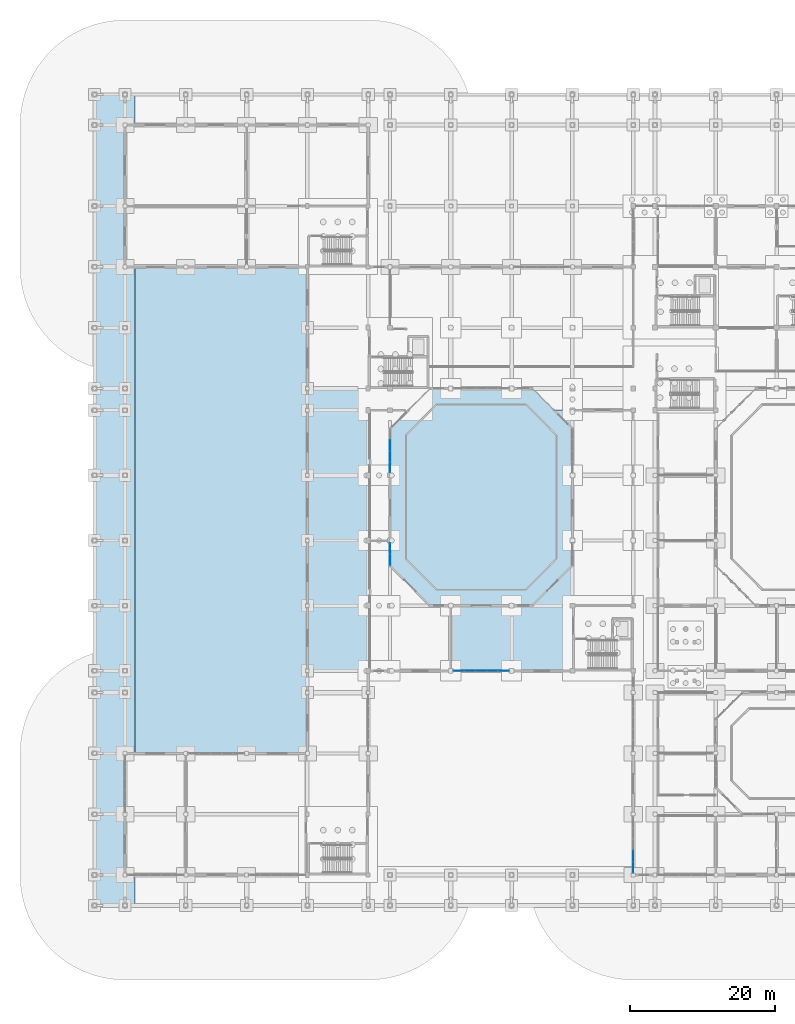
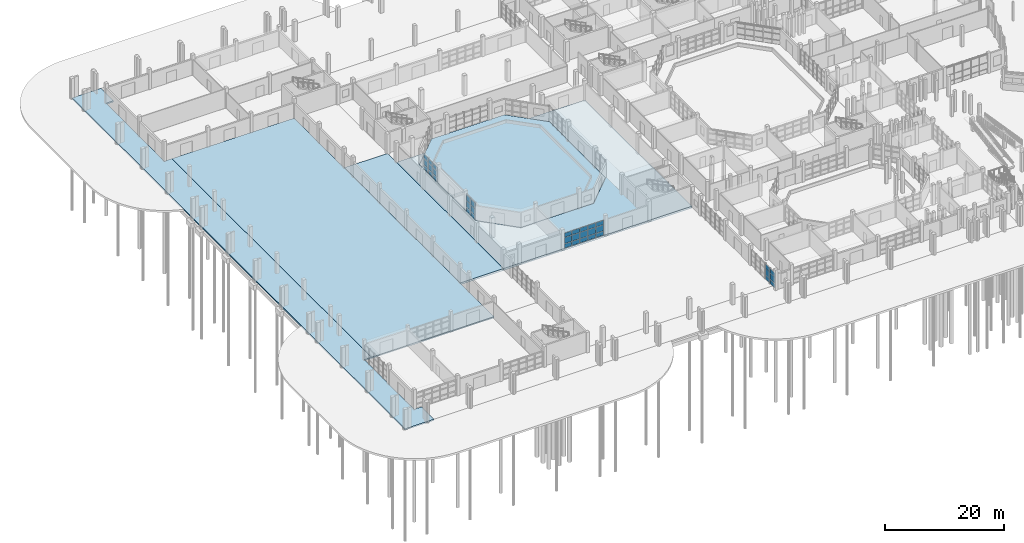
# One storey, part 43 of 88: 36 plates, 5 slabs, 4 elements without a shape of their own.
"""IFC4 building model written with IfcOpenShell, lengths in metres."""

from ifc_helpers import new_model, si_unit, direction, frame, origin, origin_2d, place, context, subcontext, project, spatial, polyline, rectangle, outline, extrude, material, layer, layer_set, type_object, element, aggregate, save


model = new_model("IFC4")

# Units and contexts
model_context = context("Model", 3, precision=1e-05, world=origin(), true_north=direction((0.0, 1.0)))
body_context = subcontext(model_context, "Body", "Model", "MODEL_VIEW")
ifc_project = project(units=[si_unit("LENGTHUNIT", "METRE"), si_unit("AREAUNIT", "SQUARE_METRE"), si_unit("VOLUMEUNIT", "CUBIC_METRE"), si_unit("PLANEANGLEUNIT", "RADIAN"), si_unit("MASSUNIT", "GRAM", prefix="KILO")], contexts=[model_context])

# Site, building, storey
site_placement = place(None, origin())
site = spatial("IfcSite", under=ifc_project, at=site_placement, CompositionType="ELEMENT")
building_placement = place(site_placement, origin())
building = spatial("IfcBuilding", under=site, at=building_placement, Name="Vanh Quang Courtyard School", CompositionType="ELEMENT")
storey_placement = place(building_placement, origin())
storey = spatial("IfcBuildingStorey", under=building, at=storey_placement, Name="L00", CompositionType="ELEMENT", Elevation=0.0)

# Curtain wall, plates
ifc_material_1 = material(Name="Thermally broken aluminium unitised curtain wall", Category="aluminium")
curtain_wall_type_1 = type_object("IfcCurtainWallType", Name="CW-SYS-16", PredefinedType="NOTDEFINED", material=ifc_material_1)
curtain_wall_1_placement = place(storey_placement, origin())
curtain_wall_1 = element("IfcCurtainWall", 1, at=curtain_wall_1_placement, inside=storey, type_object=curtain_wall_type_1, Name="Curtain Wall CW-16 (L00)", PredefinedType="NOTDEFINED")
ifc_material_2 = material(Name="Low-E laminated double glazing", Category="glass")
ifc_layer_1 = layer(ifc_material_2, 0.028076171875)
ifc_layer_set_1 = layer_set([ifc_layer_1], Name="Low-E laminated double glazing")
plate_type_1 = type_object("IfcPlateType", Name="CW-PNL-28", PredefinedType="CURTAIN_PANEL", material=ifc_layer_set_1)
plate_1_placement = place(storey_placement, frame((40.800048828125, 49.271240234375, 0.06005859375), z_axis=(0.0, 0.0, 1.0), x_axis=(0.0, -1.0, 0.0)))
plate_1 = element("IfcPlate", 2, at=plate_1_placement, type_object=plate_type_1, Name="CW-16 panel 1.1", PredefinedType="CURTAIN_PANEL", context=body_context, shape_type="SweptSolid", body=[
    extrude(rectangle(XDim=1.471435546875, YDim=0.028076171875, at=origin_2d()), origin(), (0.0, 0.0, 1.0), 0.860107421875),
])
plate_2_placement = place(storey_placement, frame((40.800048828125, 49.271240234375, 0.97998046875), z_axis=(0.0, 0.0, 1.0), x_axis=(0.0, -1.0, 0.0)))
plate_2 = element("IfcPlate", 3, at=plate_2_placement, type_object=plate_type_1, Name="CW-16 panel 1.2", PredefinedType="CURTAIN_PANEL", context=body_context, shape_type="SweptSolid", body=[
    extrude(rectangle(XDim=1.471435546875, YDim=0.028076171875, at=origin_2d()), origin(), (0.0, 0.0, 1.0), 1.239990234375),
])
plate_3_placement = place(storey_placement, frame((40.800048828125, 49.271240234375, 2.27978515625), z_axis=(0.0, 0.0, 1.0), x_axis=(0.0, -1.0, 0.0)))
plate_3 = element("IfcPlate", 4, at=plate_3_placement, type_object=plate_type_1, Name="CW-16 panel 1.3", PredefinedType="CURTAIN_PANEL", context=body_context, shape_type="SweptSolid", body=[
    extrude(rectangle(XDim=1.471435546875, YDim=0.028076171875, at=origin_2d()), origin(), (0.0, 0.0, 1.0), 1.219970703125),
])
plate_4_placement = place(storey_placement, frame((40.800048828125, 47.73974609375, 0.06005859375), z_axis=(0.0, 0.0, 1.0), x_axis=(0.0, -1.0, 0.0)))
plate_4 = element("IfcPlate", 5, at=plate_4_placement, type_object=plate_type_1, Name="CW-16 panel 2.1", PredefinedType="CURTAIN_PANEL", context=body_context, shape_type="SweptSolid", body=[
    extrude(rectangle(XDim=1.471435546875, YDim=0.028076171875, at=origin_2d()), origin(), (0.0, 0.0, 1.0), 0.860107421875),
])
plate_5_placement = place(storey_placement, frame((40.800048828125, 47.73974609375, 0.97998046875), z_axis=(0.0, 0.0, 1.0), x_axis=(0.0, -1.0, 0.0)))
plate_5 = element("IfcPlate", 6, at=plate_5_placement, type_object=plate_type_1, Name="CW-16 panel 2.2", PredefinedType="CURTAIN_PANEL", context=body_context, shape_type="SweptSolid", body=[
    extrude(rectangle(XDim=1.471435546875, YDim=0.028076171875, at=origin_2d()), origin(), (0.0, 0.0, 1.0), 1.239990234375),
])
plate_6_placement = place(storey_placement, frame((40.800048828125, 47.73974609375, 2.27978515625), z_axis=(0.0, 0.0, 1.0), x_axis=(0.0, -1.0, 0.0)))
plate_6 = element("IfcPlate", 7, at=plate_6_placement, type_object=plate_type_1, Name="CW-16 panel 2.3", PredefinedType="CURTAIN_PANEL", context=body_context, shape_type="SweptSolid", body=[
    extrude(rectangle(XDim=1.471435546875, YDim=0.028076171875, at=origin_2d()), origin(), (0.0, 0.0, 1.0), 1.219970703125),
])
aggregate(curtain_wall_1, [plate_1, plate_2, plate_3, plate_4, plate_5, plate_6])

curtain_wall_type_2 = type_object("IfcCurtainWallType", Name="CW-SYS-01", PredefinedType="NOTDEFINED", material=ifc_material_1)
curtain_wall_2_placement = place(storey_placement, origin())
curtain_wall_2 = element("IfcCurtainWall", 8, at=curtain_wall_2_placement, inside=storey, type_object=curtain_wall_type_2, Name="Curtain Wall CW-01 (L00)", PredefinedType="NOTDEFINED")
ifc_layer_2 = layer(ifc_material_2, 0.031982421875)
ifc_layer_set_2 = layer_set([ifc_layer_2], Name="Low-E laminated double glazing")
plate_type_2 = type_object("IfcPlateType", Name="CW-PNL-32", PredefinedType="CURTAIN_PANEL", material=ifc_layer_set_2)
plate_7_placement = place(storey_placement, frame((74.39990234375, 5.281494140625, 0.06005859375), z_axis=(0.0, 0.0, 1.0), x_axis=(0.0, 1.0, 0.0)))
plate_7 = element("IfcPlate", 9, at=plate_7_placement, type_object=plate_type_2, Name="CW-01 panel 1.1", PredefinedType="CURTAIN_PANEL", context=body_context, shape_type="SweptSolid", body=[
    extrude(rectangle(XDim=1.476806640625, YDim=0.031982421875, at=origin_2d()), origin(), (0.0, 0.0, 1.0), 0.860107421875),
])
plate_8_placement = place(storey_placement, frame((74.39990234375, 5.281494140625, 0.97998046875), z_axis=(0.0, 0.0, 1.0), x_axis=(0.0, 1.0, 0.0)))
plate_8 = element("IfcPlate", 10, at=plate_8_placement, type_object=plate_type_2, Name="CW-01 panel 1.2", PredefinedType="CURTAIN_PANEL", context=body_context, shape_type="SweptSolid", body=[
    extrude(rectangle(XDim=1.476806640625, YDim=0.031982421875, at=origin_2d()), origin(), (0.0, 0.0, 1.0), 1.239990234375),
])
plate_9_placement = place(storey_placement, frame((74.39990234375, 5.281494140625, 2.280029296875), z_axis=(0.0, 0.0, 1.0), x_axis=(0.0, 1.0, 0.0)))
plate_9 = element("IfcPlate", 11, at=plate_9_placement, type_object=plate_type_2, Name="CW-01 panel 1.3", PredefinedType="CURTAIN_PANEL", context=body_context, shape_type="SweptSolid", body=[
    extrude(rectangle(XDim=1.476806640625, YDim=0.031982421875, at=origin_2d()), origin(), (0.0, 0.0, 1.0), 0.8798828125),
])
plate_10_placement = place(storey_placement, frame((74.39990234375, 6.833251953125, 0.06005859375), z_axis=(0.0, 0.0, 1.0), x_axis=(0.0, 1.0, 0.0)))
plate_10 = element("IfcPlate", 12, at=plate_10_placement, type_object=plate_type_2, Name="CW-01 panel 2.1", PredefinedType="CURTAIN_PANEL", context=body_context, shape_type="SweptSolid", body=[
    extrude(rectangle(XDim=1.5068359375, YDim=0.031982421875, at=origin_2d()), origin(), (0.0, 0.0, 1.0), 0.860107421875),
])
plate_11_placement = place(storey_placement, frame((74.39990234375, 6.833251953125, 0.97998046875), z_axis=(0.0, 0.0, 1.0), x_axis=(0.0, 1.0, 0.0)))
plate_11 = element("IfcPlate", 13, at=plate_11_placement, type_object=plate_type_2, Name="CW-01 panel 2.2", PredefinedType="CURTAIN_PANEL", context=body_context, shape_type="SweptSolid", body=[
    extrude(rectangle(XDim=1.5068359375, YDim=0.031982421875, at=origin_2d()), origin(), (0.0, 0.0, 1.0), 1.239990234375),
])
plate_12_placement = place(storey_placement, frame((74.39990234375, 6.833251953125, 2.280029296875), z_axis=(0.0, 0.0, 1.0), x_axis=(0.0, 1.0, 0.0)))
plate_12 = element("IfcPlate", 14, at=plate_12_placement, type_object=plate_type_2, Name="CW-01 panel 2.3", PredefinedType="CURTAIN_PANEL", context=body_context, shape_type="SweptSolid", body=[
    extrude(rectangle(XDim=1.5068359375, YDim=0.031982421875, at=origin_2d()), origin(), (0.0, 0.0, 1.0), 0.8798828125),
])
aggregate(curtain_wall_2, [plate_7, plate_8, plate_9, plate_10, plate_11, plate_12])

curtain_wall_type_3 = type_object("IfcCurtainWallType", Name="CW-SYS-02", PredefinedType="NOTDEFINED", material=ifc_material_1)
curtain_wall_3_placement = place(storey_placement, origin())
curtain_wall_3 = element("IfcCurtainWall", 15, at=curtain_wall_3_placement, inside=storey, type_object=curtain_wall_type_3, Name="Curtain Wall CW-02 (L00)", PredefinedType="NOTDEFINED")
plate_13_placement = place(storey_placement, frame((56.4736328125, 32.39990234375, 0.080078125), z_axis=(0.0, 0.0, 1.0), x_axis=(-1.0, 0.0, 0.0)))
plate_13 = element("IfcPlate", 16, at=plate_13_placement, type_object=plate_type_2, Name="CW-02 panel 1.1", PredefinedType="CURTAIN_PANEL", context=body_context, shape_type="SweptSolid", body=[
    extrude(rectangle(XDim=1.4267578125, YDim=0.031982421875, at=origin_2d()), origin(), (0.0, 0.0, 1.0), 0.830078125),
])
plate_14_placement = place(storey_placement, frame((56.4736328125, 32.39990234375, 0.990234375), z_axis=(0.0, 0.0, 1.0), x_axis=(-1.0, 0.0, 0.0)))
plate_14 = element("IfcPlate", 17, at=plate_14_placement, type_object=plate_type_2, Name="CW-02 panel 1.2", PredefinedType="CURTAIN_PANEL", context=body_context, shape_type="SweptSolid", body=[
    extrude(rectangle(XDim=1.4267578125, YDim=0.031982421875, at=origin_2d()), origin(), (0.0, 0.0, 1.0), 1.219970703125),
])
plate_15_placement = place(storey_placement, frame((56.4736328125, 32.39990234375, 2.2900390625), z_axis=(0.0, 0.0, 1.0), x_axis=(-1.0, 0.0, 0.0)))
plate_15 = element("IfcPlate", 18, at=plate_15_placement, type_object=plate_type_2, Name="CW-02 panel 1.3", PredefinedType="CURTAIN_PANEL", context=body_context, shape_type="SweptSolid", body=[
    extrude(rectangle(XDim=1.4267578125, YDim=0.031982421875, at=origin_2d()), origin(), (0.0, 0.0, 1.0), 0.85009765625),
])
plate_16_placement = place(storey_placement, frame((54.94677734375, 32.39990234375, 0.080078125), z_axis=(0.0, 0.0, 1.0), x_axis=(-1.0, 0.0, 0.0)))
plate_16 = element("IfcPlate", 19, at=plate_16_placement, type_object=plate_type_2, Name="CW-02 panel 2.1", PredefinedType="CURTAIN_PANEL", context=body_context, shape_type="SweptSolid", body=[
    extrude(rectangle(XDim=1.466796875, YDim=0.031982421875, at=origin_2d()), origin(), (0.0, 0.0, 1.0), 0.830078125),
])
plate_17_placement = place(storey_placement, frame((54.94677734375, 32.39990234375, 0.990234375), z_axis=(0.0, 0.0, 1.0), x_axis=(-1.0, 0.0, 0.0)))
plate_17 = element("IfcPlate", 20, at=plate_17_placement, type_object=plate_type_2, Name="CW-02 panel 2.2", PredefinedType="CURTAIN_PANEL", context=body_context, shape_type="SweptSolid", body=[
    extrude(rectangle(XDim=1.466796875, YDim=0.031982421875, at=origin_2d()), origin(), (0.0, 0.0, 1.0), 1.219970703125),
])
plate_18_placement = place(storey_placement, frame((54.94677734375, 32.39990234375, 2.2900390625), z_axis=(0.0, 0.0, 1.0), x_axis=(-1.0, 0.0, 0.0)))
plate_18 = element("IfcPlate", 21, at=plate_18_placement, type_object=plate_type_2, Name="CW-02 panel 2.3", PredefinedType="CURTAIN_PANEL", context=body_context, shape_type="SweptSolid", body=[
    extrude(rectangle(XDim=1.466796875, YDim=0.031982421875, at=origin_2d()), origin(), (0.0, 0.0, 1.0), 0.85009765625),
])
plate_19_placement = place(storey_placement, frame((53.39990234375, 32.39990234375, 0.080078125), z_axis=(0.0, 0.0, 1.0), x_axis=(-1.0, 0.0, 0.0)))
plate_19 = element("IfcPlate", 22, at=plate_19_placement, type_object=plate_type_2, Name="CW-02 panel 3.1", PredefinedType="CURTAIN_PANEL", context=body_context, shape_type="SweptSolid", body=[
    extrude(rectangle(XDim=1.466796875, YDim=0.031982421875, at=origin_2d()), origin(), (0.0, 0.0, 1.0), 0.830078125),
])
plate_20_placement = place(storey_placement, frame((53.39990234375, 32.39990234375, 0.990234375), z_axis=(0.0, 0.0, 1.0), x_axis=(-1.0, 0.0, 0.0)))
plate_20 = element("IfcPlate", 23, at=plate_20_placement, type_object=plate_type_2, Name="CW-02 panel 3.2", PredefinedType="CURTAIN_PANEL", context=body_context, shape_type="SweptSolid", body=[
    extrude(rectangle(XDim=1.466796875, YDim=0.031982421875, at=origin_2d()), origin(), (0.0, 0.0, 1.0), 1.219970703125),
])
plate_21_placement = place(storey_placement, frame((53.39990234375, 32.39990234375, 2.2900390625), z_axis=(0.0, 0.0, 1.0), x_axis=(-1.0, 0.0, 0.0)))
plate_21 = element("IfcPlate", 24, at=plate_21_placement, type_object=plate_type_2, Name="CW-02 panel 3.3", PredefinedType="CURTAIN_PANEL", context=body_context, shape_type="SweptSolid", body=[
    extrude(rectangle(XDim=1.466796875, YDim=0.031982421875, at=origin_2d()), origin(), (0.0, 0.0, 1.0), 0.85009765625),
])
plate_22_placement = place(storey_placement, frame((51.853271484375, 32.39990234375, 0.080078125), z_axis=(0.0, 0.0, 1.0), x_axis=(-1.0, 0.0, 0.0)))
plate_22 = element("IfcPlate", 25, at=plate_22_placement, type_object=plate_type_2, Name="CW-02 panel 4.1", PredefinedType="CURTAIN_PANEL", context=body_context, shape_type="SweptSolid", body=[
    extrude(rectangle(XDim=1.466796875, YDim=0.031982421875, at=origin_2d()), origin(), (0.0, 0.0, 1.0), 0.830078125),
])
plate_23_placement = place(storey_placement, frame((51.853271484375, 32.39990234375, 0.990234375), z_axis=(0.0, 0.0, 1.0), x_axis=(-1.0, 0.0, 0.0)))
plate_23 = element("IfcPlate", 26, at=plate_23_placement, type_object=plate_type_2, Name="CW-02 panel 4.2", PredefinedType="CURTAIN_PANEL", context=body_context, shape_type="SweptSolid", body=[
    extrude(rectangle(XDim=1.466796875, YDim=0.031982421875, at=origin_2d()), origin(), (0.0, 0.0, 1.0), 1.219970703125),
])
plate_24_placement = place(storey_placement, frame((51.853271484375, 32.39990234375, 2.2900390625), z_axis=(0.0, 0.0, 1.0), x_axis=(-1.0, 0.0, 0.0)))
plate_24 = element("IfcPlate", 27, at=plate_24_placement, type_object=plate_type_2, Name="CW-02 panel 4.3", PredefinedType="CURTAIN_PANEL", context=body_context, shape_type="SweptSolid", body=[
    extrude(rectangle(XDim=1.466796875, YDim=0.031982421875, at=origin_2d()), origin(), (0.0, 0.0, 1.0), 0.85009765625),
])
plate_25_placement = place(storey_placement, frame((50.326416015625, 32.39990234375, 0.080078125), z_axis=(0.0, 0.0, 1.0), x_axis=(-1.0, 0.0, 0.0)))
plate_25 = element("IfcPlate", 28, at=plate_25_placement, type_object=plate_type_2, Name="CW-02 panel 5.1", PredefinedType="CURTAIN_PANEL", context=body_context, shape_type="SweptSolid", body=[
    extrude(rectangle(XDim=1.4267578125, YDim=0.031982421875, at=origin_2d()), origin(), (0.0, 0.0, 1.0), 0.830078125),
])
plate_26_placement = place(storey_placement, frame((50.326416015625, 32.39990234375, 0.990234375), z_axis=(0.0, 0.0, 1.0), x_axis=(-1.0, 0.0, 0.0)))
plate_26 = element("IfcPlate", 29, at=plate_26_placement, type_object=plate_type_2, Name="CW-02 panel 5.2", PredefinedType="CURTAIN_PANEL", context=body_context, shape_type="SweptSolid", body=[
    extrude(rectangle(XDim=1.4267578125, YDim=0.031982421875, at=origin_2d()), origin(), (0.0, 0.0, 1.0), 1.219970703125),
])
plate_27_placement = place(storey_placement, frame((50.326416015625, 32.39990234375, 2.2900390625), z_axis=(0.0, 0.0, 1.0), x_axis=(-1.0, 0.0, 0.0)))
plate_27 = element("IfcPlate", 30, at=plate_27_placement, type_object=plate_type_2, Name="CW-02 panel 5.3", PredefinedType="CURTAIN_PANEL", context=body_context, shape_type="SweptSolid", body=[
    extrude(rectangle(XDim=1.4267578125, YDim=0.031982421875, at=origin_2d()), origin(), (0.0, 0.0, 1.0), 0.85009765625),
])
aggregate(curtain_wall_3, [plate_13, plate_14, plate_15, plate_16, plate_17, plate_18, plate_19, plate_20, plate_21, plate_22, plate_23, plate_24, plate_25, plate_26, plate_27])

curtain_wall_type_4 = type_object("IfcCurtainWallType", Name="CW-SYS-13", PredefinedType="NOTDEFINED", material=ifc_material_1)
curtain_wall_4_placement = place(storey_placement, origin())
curtain_wall_4 = element("IfcCurtainWall", 31, at=curtain_wall_4_placement, inside=storey, type_object=curtain_wall_type_4, Name="Curtain Wall CW-13 (L00)", PredefinedType="NOTDEFINED")
plate_28_placement = place(storey_placement, frame((40.800048828125, 63.559814453125, 0.080078125), z_axis=(0.0, 0.0, 1.0), x_axis=(0.0, -1.0, 0.0)))
plate_28 = element("IfcPlate", 32, at=plate_28_placement, type_object=plate_type_2, Name="CW-13 panel 2.1", PredefinedType="CURTAIN_PANEL", context=body_context, shape_type="SweptSolid", body=[
    extrude(rectangle(XDim=1.45068359375, YDim=0.031982421875, at=origin_2d()), origin(), (0.0, 0.0, 1.0), 0.830078125),
])
plate_29_placement = place(storey_placement, frame((40.800048828125, 63.559814453125, 0.990234375), z_axis=(0.0, 0.0, 1.0), x_axis=(0.0, -1.0, 0.0)))
plate_29 = element("IfcPlate", 33, at=plate_29_placement, type_object=plate_type_2, Name="CW-13 panel 2.2", PredefinedType="CURTAIN_PANEL", context=body_context, shape_type="SweptSolid", body=[
    extrude(rectangle(XDim=1.45068359375, YDim=0.031982421875, at=origin_2d()), origin(), (0.0, 0.0, 1.0), 1.219970703125),
])
plate_30_placement = place(storey_placement, frame((40.800048828125, 63.559814453125, 2.2900390625), z_axis=(0.0, 0.0, 1.0), x_axis=(0.0, -1.0, 0.0)))
plate_30 = element("IfcPlate", 34, at=plate_30_placement, type_object=plate_type_2, Name="CW-13 panel 2.3", PredefinedType="CURTAIN_PANEL", context=body_context, shape_type="SweptSolid", body=[
    extrude(rectangle(XDim=1.45068359375, YDim=0.031982421875, at=origin_2d()), origin(), (0.0, 0.0, 1.0), 0.85009765625),
])
plate_31_placement = place(storey_placement, frame((40.800048828125, 62.029052734375, 0.080078125), z_axis=(0.0, 0.0, 1.0), x_axis=(0.0, -1.0, 0.0)))
plate_31 = element("IfcPlate", 35, at=plate_31_placement, type_object=plate_type_2, Name="CW-13 panel 3.1", PredefinedType="CURTAIN_PANEL", context=body_context, shape_type="SweptSolid", body=[
    extrude(rectangle(XDim=1.45068359375, YDim=0.031982421875, at=origin_2d()), origin(), (0.0, 0.0, 1.0), 0.830078125),
])
plate_32_placement = place(storey_placement, frame((40.800048828125, 62.029052734375, 0.990234375), z_axis=(0.0, 0.0, 1.0), x_axis=(0.0, -1.0, 0.0)))
plate_32 = element("IfcPlate", 36, at=plate_32_placement, type_object=plate_type_2, Name="CW-13 panel 3.2", PredefinedType="CURTAIN_PANEL", context=body_context, shape_type="SweptSolid", body=[
    extrude(rectangle(XDim=1.45068359375, YDim=0.031982421875, at=origin_2d()), origin(), (0.0, 0.0, 1.0), 1.219970703125),
])
plate_33_placement = place(storey_placement, frame((40.800048828125, 62.029052734375, 2.2900390625), z_axis=(0.0, 0.0, 1.0), x_axis=(0.0, -1.0, 0.0)))
plate_33 = element("IfcPlate", 37, at=plate_33_placement, type_object=plate_type_2, Name="CW-13 panel 3.3", PredefinedType="CURTAIN_PANEL", context=body_context, shape_type="SweptSolid", body=[
    extrude(rectangle(XDim=1.45068359375, YDim=0.031982421875, at=origin_2d()), origin(), (0.0, 0.0, 1.0), 0.85009765625),
])
plate_34_placement = place(storey_placement, frame((40.800048828125, 60.518310546875, 0.080078125), z_axis=(0.0, 0.0, 1.0), x_axis=(0.0, -1.0, 0.0)))
plate_34 = element("IfcPlate", 38, at=plate_34_placement, type_object=plate_type_2, Name="CW-13 panel 4.1", PredefinedType="CURTAIN_PANEL", context=body_context, shape_type="SweptSolid", body=[
    extrude(rectangle(XDim=1.41064453125, YDim=0.031982421875, at=origin_2d()), origin(), (0.0, 0.0, 1.0), 0.830078125),
])
plate_35_placement = place(storey_placement, frame((40.800048828125, 60.518310546875, 0.990234375), z_axis=(0.0, 0.0, 1.0), x_axis=(0.0, -1.0, 0.0)))
plate_35 = element("IfcPlate", 39, at=plate_35_placement, type_object=plate_type_2, Name="CW-13 panel 4.2", PredefinedType="CURTAIN_PANEL", context=body_context, shape_type="SweptSolid", body=[
    extrude(rectangle(XDim=1.41064453125, YDim=0.031982421875, at=origin_2d()), origin(), (0.0, 0.0, 1.0), 1.219970703125),
])
plate_36_placement = place(storey_placement, frame((40.800048828125, 60.518310546875, 2.2900390625), z_axis=(0.0, 0.0, 1.0), x_axis=(0.0, -1.0, 0.0)))
plate_36 = element("IfcPlate", 40, at=plate_36_placement, type_object=plate_type_2, Name="CW-13 panel 4.3", PredefinedType="CURTAIN_PANEL", context=body_context, shape_type="SweptSolid", body=[
    extrude(rectangle(XDim=1.41064453125, YDim=0.031982421875, at=origin_2d()), origin(), (0.0, 0.0, 1.0), 0.85009765625),
])
aggregate(curtain_wall_4, [plate_28, plate_29, plate_30, plate_31, plate_32, plate_33, plate_34, plate_35, plate_36])

# Slabs
ifc_material_3 = material(Name="Concrete C30/37", Category="concrete")
ifc_layer_3 = layer(ifc_material_3, 0.39990234375)
ifc_layer_set_3 = layer_set([ifc_layer_3], Name="Concrete C30/37")
slab_type_1 = type_object("IfcSlabType", Name="SLB-APRON-400", PredefinedType="BASESLAB", material=ifc_layer_set_3)
slab_1_placement = place(storey_placement, frame((0.0, 0.0, -0.39990234375)))
element("IfcSlab", 41, at=slab_1_placement, inside=storey, type_object=slab_type_1, Name="Slab APR-01 (L00)", PredefinedType="BASESLAB", context=body_context, shape_type="SweptSolid", body=[
    extrude(outline(polyline([(40.800048828125, 46.944091796875), (46.343994140625, 41.39990234375), (60.4560546875, 41.39990234375), (66.0, 46.944091796875), (66.0, 65.85595703125), (60.4560546875, 71.39990234375), (46.343994140625, 71.39990234375), (40.800048828125, 65.85595703125), (40.800048828125, 46.944091796875)])), origin(), (0.0, 0.0, 1.0), 0.39990234375),
])
ifc_layer_4 = layer(ifc_material_3, 0.39990234375)
ifc_layer_set_4 = layer_set([ifc_layer_4], Name="Concrete C30/37")
slab_type_2 = type_object("IfcSlabType", Name="SLB-BASE-400", PredefinedType="BASESLAB", material=ifc_layer_set_4)
slab_2_placement = place(storey_placement, frame((0.0, 0.0, -0.39990234375)))
element("IfcSlab", 42, at=slab_2_placement, inside=storey, type_object=slab_type_2, Name="Slab BSL-01 (L00)", PredefinedType="BASESLAB", context=body_context, shape_type="SweptSolid", body=[
    extrude(outline(polyline([(63.4560546875, 68.39990234375), (66.0, 65.85595703125), (66.0, 46.944091796875), (60.4560546875, 41.39990234375), (46.343994140625, 41.39990234375), (40.800048828125, 46.944091796875), (40.800048828125, 65.85595703125), (43.343994140625, 68.39990234375), (37.800048828125, 68.39990234375), (37.800048828125, 32.39990234375), (74.39990234375, 32.39990234375), (74.39990234375, 68.39990234375), (63.4560546875, 68.39990234375)])), origin(), (0.0, 0.0, 1.0), 0.39990234375),
])
slab_3_placement = place(storey_placement, frame((0.0, 0.0, -0.39990234375)))
element("IfcSlab", 43, at=slab_3_placement, inside=storey, type_object=slab_type_2, Name="Slab BSL-01 (L00)", PredefinedType="BASESLAB", context=body_context, shape_type="SweptSolid", body=[
    extrude(outline(polyline([(29.39990234375, 71.39990234375), (29.39990234375, 32.39990234375), (37.800048828125, 32.39990234375), (37.800048828125, 71.39990234375), (29.39990234375, 71.39990234375)])), origin(), (0.0, 0.0, 1.0), 0.39990234375),
])
ifc_material_4 = material(Name="Concrete C35/45", Category="concrete")
ifc_layer_5 = layer(ifc_material_4, 0.280029296875)
ifc_layer_set_5 = layer_set([ifc_layer_5], Name="Concrete C35/45")
slab_type_3 = type_object("IfcSlabType", Name="SLB-COL-280", PredefinedType="FLOOR", material=ifc_layer_set_5)
slab_4_placement = place(storey_placement, frame((0.0, 0.0, -0.280029296875)))
element("IfcSlab", 44, at=slab_4_placement, inside=storey, type_object=slab_type_3, Name="Slab SC-01 (L00)", PredefinedType="FLOOR", context=body_context, shape_type="SweptSolid", body=[
    extrude(outline(polyline([(5.60009765625, 0.0), (5.60009765625, 4.199951171875), (4.199951171875, 4.199951171875), (4.199951171875, 21.0), (5.60009765625, 21.0), (5.60009765625, 88.199951171875), (4.199951171875, 88.199951171875), (4.199951171875, 107.800048828125), (5.60009765625, 107.800048828125), (5.60009765625, 112.0), (0.0, 112.0), (0.0, 0.0), (5.60009765625, 0.0)])), origin(), (0.0, 0.0, 1.0), 0.280029296875),
])
slab_5_placement = place(storey_placement, frame((0.0, 0.0, -0.280029296875)))
element("IfcSlab", 45, at=slab_5_placement, inside=storey, type_object=slab_type_3, Name="Slab SC-01 (L00)", PredefinedType="FLOOR", context=body_context, shape_type="SweptSolid", body=[
    extrude(outline(polyline([(29.39990234375, 88.199951171875), (5.60009765625, 88.199951171875), (5.60009765625, 21.0), (29.39990234375, 21.0), (29.39990234375, 88.199951171875)])), origin(), (0.0, 0.0, 1.0), 0.280029296875),
])

save(model, "model.ifc")
